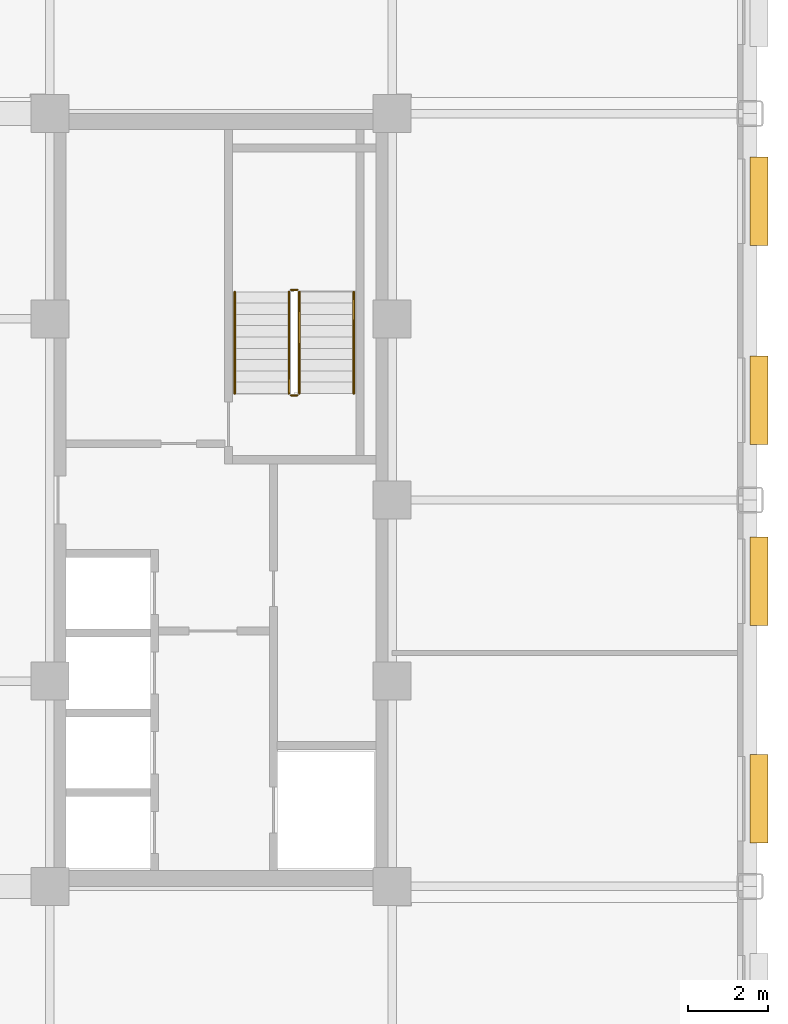
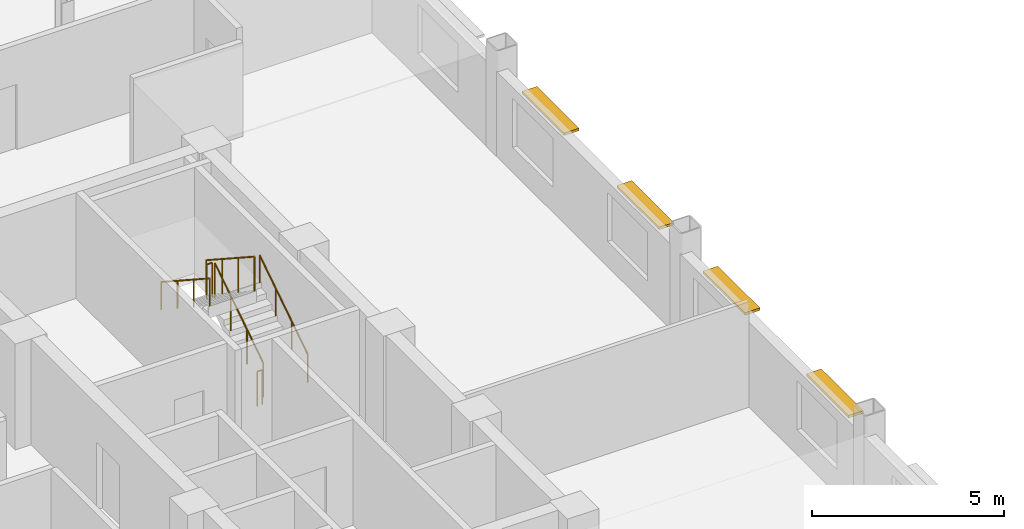
# One storey, part 13 of 14: 6 railings, 4 shading devices.
"""IFC4 building model written with IfcOpenShell, lengths in metres."""

from ifc_helpers import new_model, si_unit, direction, frame, origin, origin_2d, place, context, subcontext, project, spatial, rectangle, circle, extrude, source, transform, mapped, material, type_object, type_shapes, element, save


model = new_model("IFC4")

# Units and contexts
model_context = context("Model", 3, precision=1e-05, world=origin(), true_north=direction((0.0, 1.0)))
body_context = subcontext(model_context, "Body", "Model", "MODEL_VIEW")
ifc_project = project(units=[si_unit("LENGTHUNIT", "METRE"), si_unit("AREAUNIT", "SQUARE_METRE"), si_unit("VOLUMEUNIT", "CUBIC_METRE"), si_unit("PLANEANGLEUNIT", "RADIAN"), si_unit("MASSUNIT", "GRAM", prefix="KILO")], contexts=[model_context])

# Site, building, storey
site_placement = place(None, origin())
site = spatial("IfcSite", under=ifc_project, at=site_placement, CompositionType="ELEMENT")
building_placement = place(site_placement, origin())
building = spatial("IfcBuilding", under=site, at=building_placement, Name="Nuvemarco Arch Tower", CompositionType="ELEMENT")
storey_placement = place(building_placement, frame((0.0, 0.0, 127.5)))
storey = spatial("IfcBuildingStorey", under=building, at=storey_placement, Name="L33", CompositionType="ELEMENT", Elevation=127.5)

# Railings
ifc_material_1 = material(Name="Brushed stainless steel handrail", Category="steel")
railing_type_1 = type_object("IfcRailingType", Name="RL-HANDRAIL-900", PredefinedType="HANDRAIL", material=ifc_material_1)
railing_1_placement = place(storey_placement, frame((16.550048828125, 2.64990234375, 0.1826171875)))
element("IfcRailing", 1, at=railing_1_placement, inside=storey, type_object=railing_type_1, Name="L33 ST-2 stair handrail 1", PredefinedType="HANDRAIL", context=body_context, shape_type="SweptSolid", body=[
    extrude(circle(Radius=0.02392578125, at=origin_2d()), frame((0.0, 0.0, 0.8759765625), z_axis=(0.0, 0.837786554691, 0.545997883492), x_axis=(-1.0, 0.0, 0.0)), (0.0, 0.0, 1.0), 3.008056640625),
    extrude(circle(Radius=0.02099609375, at=origin_2d()), origin(), (0.0, 0.0, 1.0), 0.851806640625),
    extrude(circle(Radius=0.02099609375, at=origin_2d()), frame((0.0, 0.840087890625, 0.54736328125)), (0.0, 0.0, 1.0), 0.851806640625),
    extrude(circle(Radius=0.02099609375, at=origin_2d()), frame((0.0, 1.679931640625, 1.094970703125)), (0.0, 0.0, 1.0), 0.851806640625),
    extrude(circle(Radius=0.02099609375, at=origin_2d()), frame((0.0, 2.52001953125, 1.642333984375)), (0.0, 0.0, 1.0), 0.851806640625),
])
railing_2_placement = place(storey_placement, frame((13.590087890625, 5.169921875, 2.007568359375)))
element("IfcRailing", 2, at=railing_2_placement, inside=storey, type_object=railing_type_1, Name="L33 ST-2 stair handrail 2", PredefinedType="HANDRAIL", context=body_context, shape_type="SweptSolid", body=[
    extrude(circle(Radius=0.02392578125, at=origin_2d()), frame((0.0, 0.0, 0.8759765625), z_axis=(0.0, -0.837786554691, 0.545997883492), x_axis=(1.0, 0.0, 0.0)), (0.0, 0.0, 1.0), 3.008056640625),
    extrude(circle(Radius=0.02099609375, at=origin_2d()), origin(), (0.0, 0.0, 1.0), 0.851806640625),
    extrude(circle(Radius=0.02099609375, at=origin_2d()), frame((0.0, -0.840087890625, 0.54736328125)), (0.0, 0.0, 1.0), 0.851806640625),
    extrude(circle(Radius=0.02099609375, at=origin_2d()), frame((0.0, -1.679931640625, 1.094970703125)), (0.0, 0.0, 1.0), 0.851806640625),
    extrude(circle(Radius=0.02099609375, at=origin_2d()), frame((0.0, -2.52001953125, 1.642333984375)), (0.0, 0.0, 1.0), 0.851806640625),
])
ifc_material_2 = material(Name="Painted balustrade steel S355", Category="steel")
railing_type_2 = type_object("IfcRailingType", Name="RL-STAIR-GUARD", PredefinedType="GUARDRAIL", material=ifc_material_2)
railing_3_placement = place(storey_placement, frame((15.199951171875, 2.64990234375, 0.1826171875)))
element("IfcRailing", 3, at=railing_3_placement, inside=storey, type_object=railing_type_2, Name="L33 ST-2 stair guard 1", PredefinedType="GUARDRAIL", context=body_context, shape_type="SweptSolid", body=[
    extrude(circle(Radius=0.02392578125, at=origin_2d()), frame((0.0, 0.0, 1.09619140625), z_axis=(0.0, 0.837786554691, 0.545997883492), x_axis=(-1.0, 0.0, 0.0)), (0.0, 0.0, 1.0), 3.008056640625),
    extrude(circle(Radius=0.02099609375, at=origin_2d()), origin(), (0.0, 0.0, 1.0), 1.072021484375),
    extrude(circle(Radius=0.02099609375, at=origin_2d()), frame((0.0, 0.840087890625, 0.54736328125)), (0.0, 0.0, 1.0), 1.072021484375),
    extrude(circle(Radius=0.02099609375, at=origin_2d()), frame((0.0, 1.679931640625, 1.094970703125)), (0.0, 0.0, 1.0), 1.072021484375),
    extrude(circle(Radius=0.02099609375, at=origin_2d()), frame((0.0, 2.52001953125, 1.642333984375)), (0.0, 0.0, 1.0), 1.072021484375),
])
railing_4_placement = place(storey_placement, frame((15.14990234375, 5.219970703125, 1.824951171875)))
element("IfcRailing", 4, at=railing_4_placement, inside=storey, type_object=railing_type_2, Name="L33 ST-2 stair guard 2", PredefinedType="GUARDRAIL", context=body_context, shape_type="SweptSolid", body=[
    extrude(circle(Radius=0.02392578125, at=origin_2d()), frame((0.0, 0.0, 1.09619140625), z_axis=(-1.0, 0.0, 0.0), x_axis=(0.0, -1.0, 0.0)), (0.0, 0.0, 1.0), 0.159912109375),
    extrude(circle(Radius=0.02099609375, at=origin_2d()), origin(), (0.0, 0.0, 1.0), 1.072021484375),
    extrude(circle(Radius=0.02099609375, at=origin_2d()), frame((-0.159912109375, 0.0, 0.0)), (0.0, 0.0, 1.0), 1.072021484375),
])
railing_5_placement = place(storey_placement, frame((14.93994140625, 5.169921875, 2.007568359375)))
element("IfcRailing", 5, at=railing_5_placement, inside=storey, type_object=railing_type_2, Name="L33 ST-2 stair guard 3", PredefinedType="GUARDRAIL", context=body_context, shape_type="SweptSolid", body=[
    extrude(circle(Radius=0.02392578125, at=origin_2d()), frame((0.0, 0.0, 1.09619140625), z_axis=(0.0, -0.837786554691, 0.545997883492), x_axis=(1.0, 0.0, 0.0)), (0.0, 0.0, 1.0), 3.008056640625),
    extrude(circle(Radius=0.02099609375, at=origin_2d()), origin(), (0.0, 0.0, 1.0), 1.072021484375),
    extrude(circle(Radius=0.02099609375, at=origin_2d()), frame((0.0, -0.840087890625, 0.54736328125)), (0.0, 0.0, 1.0), 1.072021484375),
    extrude(circle(Radius=0.02099609375, at=origin_2d()), frame((0.0, -1.679931640625, 1.094970703125)), (0.0, 0.0, 1.0), 1.072021484375),
    extrude(circle(Radius=0.02099609375, at=origin_2d()), frame((0.0, -2.52001953125, 1.642333984375)), (0.0, 0.0, 1.0), 1.072021484375),
])
railing_6_placement = place(storey_placement, frame((15.14990234375, 2.60009765625, 0.0)))
element("IfcRailing", 6, at=railing_6_placement, inside=storey, type_object=railing_type_2, Name="L33 ST-2 stair guard 4", PredefinedType="GUARDRAIL", context=body_context, shape_type="SweptSolid", body=[
    extrude(circle(Radius=0.02392578125, at=origin_2d()), frame((0.0, 0.0, 1.09619140625), z_axis=(-1.0, 0.0, 0.0), x_axis=(0.0, -1.0, 0.0)), (0.0, 0.0, 1.0), 0.159912109375),
    extrude(circle(Radius=0.02099609375, at=origin_2d()), origin(), (0.0, 0.0, 1.0), 1.072021484375),
    extrude(circle(Radius=0.02099609375, at=origin_2d()), frame((-0.159912109375, 0.0, 0.0)), (0.0, 0.0, 1.0), 1.072021484375),
])

# Shading devices
ifc_material_3 = material(Name="Anodised aluminium 6063-T6", Category="aluminium")
shading_device_type = type_object("IfcShadingDeviceType", Name="SHD-BRISE-SOLEIL", PredefinedType="USERDEFINED", material=ifc_material_3)
shared_shape = source(origin(), body_context, "Body", "SweptSolid", [
    extrude(rectangle(XDim=2.199951171875, YDim=0.449951171875, at=origin_2d()), origin(), (0.0, 0.0, 1.0), 0.080078125),
])
type_shapes(shading_device_type, [shared_shape])
for number, where, z_axis, x_axis, name in (
    (7, (26.614990234375, -7.4189453125, 2.364990234375), (0.0, 0.0, 1.0), (0.0, 1.0, 0.0), "L33 horizontal brise-soleil sunshade"),
    (8, (26.614990234375, -2.02294921875, 2.364990234375), (0.0, 0.0, 1.0), (0.0, 1.0, 0.0), "L33 horizontal brise-soleil sunshade"),
    (9, (26.614990234375, 2.472900390625, 2.364990234375), (0.0, 0.0, 1.0), (0.0, 1.0, 0.0), "L33 horizontal brise-soleil sunshade"),
    (10, (26.614990234375, 7.4189453125, 2.364990234375), (0.0, 0.0, 1.0), (0.0, 1.0, 0.0), "L33 horizontal brise-soleil sunshade"),
):
    element("IfcShadingDevice", number, at=place(storey_placement, frame(where, z_axis=z_axis, x_axis=x_axis)), inside=storey, type_object=shading_device_type, Name=name, ObjectType="SUNSHADE", PredefinedType="USERDEFINED", context=body_context, shape_type="MappedRepresentation", body=[
        mapped(shared_shape, transform((0.0, 0.0, 0.0), scale=1.0)),
    ])

save(model, "model.ifc")
